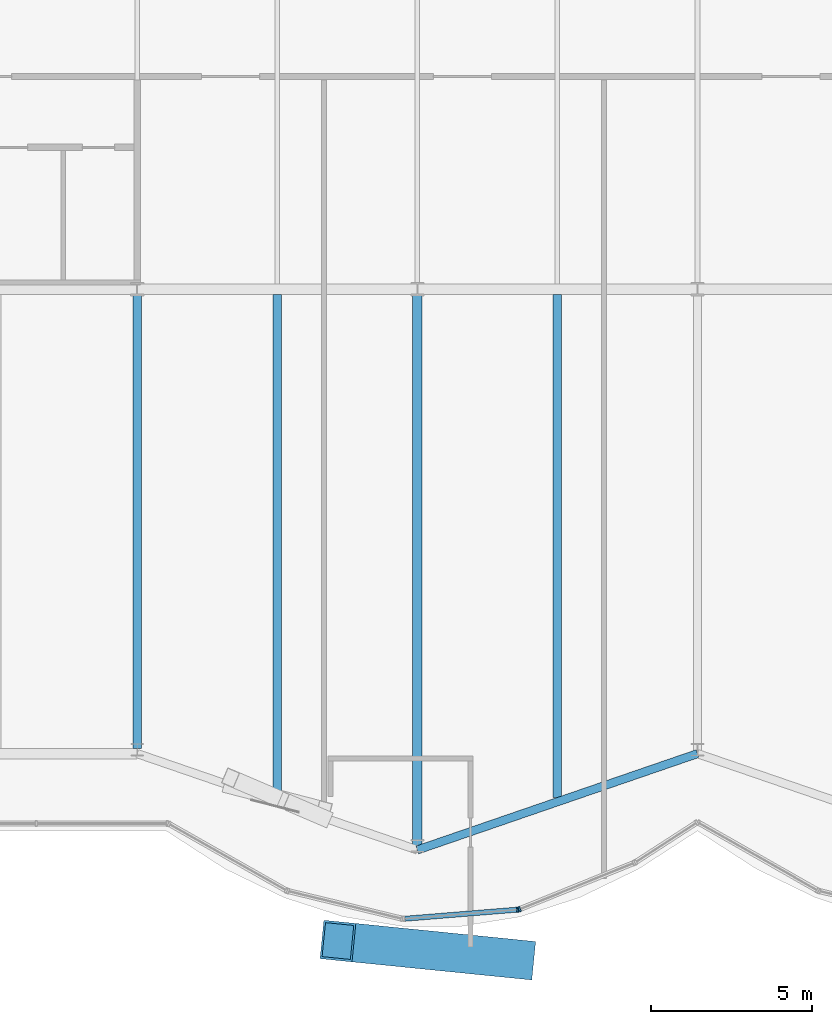
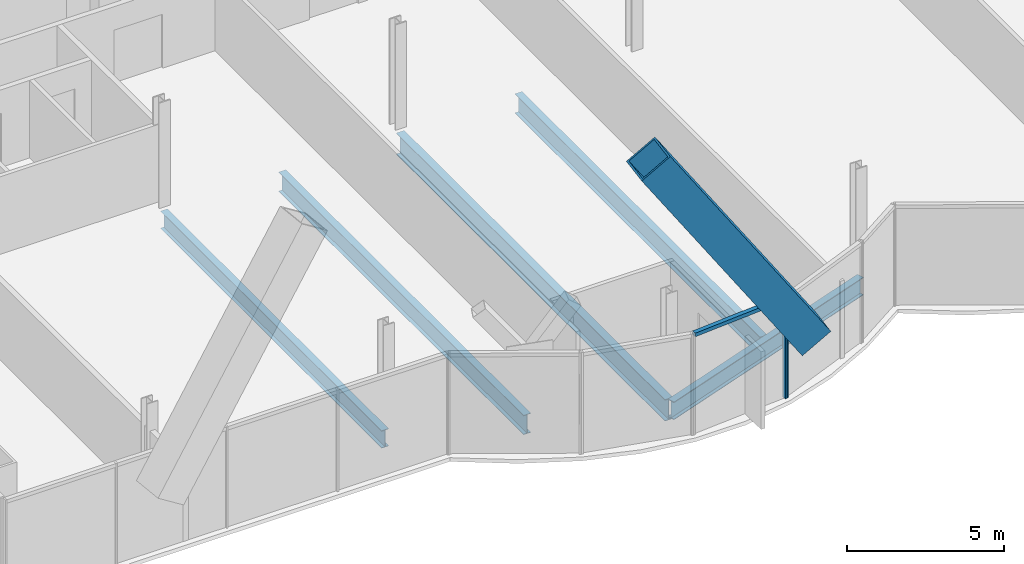
# One storey, part 5 of 22: 5 beams, 4 members, 1 element without a shape of its own.
"""IFC4 building model written with IfcOpenShell, lengths in metres."""

from ifc_helpers import new_model, si_unit, direction, frame, origin, origin_2d, place, context, subcontext, project, spatial, rectangle, hollow_rectangle, i_section, extrude, material, material_profile, profile_set, type_object, element, aggregate, save


model = new_model("IFC4")

# Units and contexts
model_context = context("Model", 3, precision=1e-05, world=origin(), true_north=direction((0.0, 1.0)))
body_context = subcontext(model_context, "Body", "Model", "MODEL_VIEW")
ifc_project = project(units=[si_unit("LENGTHUNIT", "METRE"), si_unit("AREAUNIT", "SQUARE_METRE"), si_unit("VOLUMEUNIT", "CUBIC_METRE"), si_unit("PLANEANGLEUNIT", "RADIAN"), si_unit("MASSUNIT", "GRAM", prefix="KILO")], contexts=[model_context])

# Site, building, storey
site_placement = place(None, origin())
site = spatial("IfcSite", under=ifc_project, at=site_placement, CompositionType="ELEMENT")
building_placement = place(site_placement, origin())
building = spatial("IfcBuilding", under=site, at=building_placement, Name="Bicima Exchange Tower", CompositionType="ELEMENT")
storey_placement = place(building_placement, frame((0.0, 0.0, 94.0)))
storey = spatial("IfcBuildingStorey", under=building, at=storey_placement, Name="L19", CompositionType="ELEMENT", Elevation=94.0)

# Member
ifc_material_1 = material(Name="Steel ASTM A572 Gr 50", Category="steel")
ifc_material_profile_1 = material_profile(ifc_material_1, hollow_rectangle(XDim=1.199951171875, YDim=1.199951171875, WallThickness=0.070068359375, at=origin_2d()))
ifc_profile_set_1 = profile_set([ifc_material_profile_1], Name="Steel ASTM A572 Gr 50")
member_type_1 = type_object("IfcMemberType", Name="Exo mega brace BOX 1200x1200x70", PredefinedType="BRACE", material=ifc_profile_set_1)
member_1_placement = place(storey_placement, frame((-5.583251953125, -42.811279296875, 3.416748046875), z_axis=(-0.551958035604, 0.055606091562, 0.832015798837), x_axis=(-0.10023595765, -0.994963694209, 0.0)))
element("IfcMember", 1, at=member_1_placement, inside=storey, type_object=member_type_1, Name="Exo mega brace front", PredefinedType="BRACE", context=body_context, shape_type="SweptSolid", body=[
    extrude(hollow_rectangle(XDim=1.199951171875, YDim=1.199951171875, WallThickness=0.070068359375, at=origin_2d()), origin(), (0.0, 0.0, 1.0), 10.11572265625),
])

# Beams
ifc_material_2 = material(Name="Steel ASTM A992 Gr 50", Category="steel")
ifc_material_profile_2 = material_profile(ifc_material_2, i_section(OverallWidth=0.25390625, OverallDepth=0.67822265625, WebThickness=0.01171875, FlangeThickness=0.016357421875, at=origin_2d()))
ifc_profile_set_2 = profile_set([ifc_material_profile_2], Name="Steel ASTM A992 Gr 50")
beam_type_1 = type_object("IfcBeamType", Name="Floor beam W27x84", PredefinedType="JOIST", material=ifc_profile_set_2)
beam_1_placement = place(storey_placement, frame((-17.39990234375, -22.16259765625, -0.489013671875), z_axis=(0.0, -1.0, 0.0), x_axis=(1.0, 0.0, 0.0)))
element("IfcBeam", 2, at=beam_1_placement, inside=storey, type_object=beam_type_1, Name="Floor beam", PredefinedType="JOIST", context=body_context, shape_type="SweptSolid", body=[
    extrude(i_section(OverallWidth=0.25390625, OverallDepth=0.67822265625, WebThickness=0.01171875, FlangeThickness=0.016357421875, at=origin_2d()), origin(), (0.0, 0.0, 1.0), 14.102783203125),
])
ifc_material_profile_3 = material_profile(ifc_material_2, i_section(OverallWidth=0.2666015625, OverallDepth=0.75439453125, WebThickness=0.01318359375, FlangeThickness=0.01708984375, at=origin_2d()))
ifc_profile_set_3 = profile_set([ifc_material_profile_3], Name="Steel ASTM A992 Gr 50")
beam_type_2 = type_object("IfcBeamType", Name="Floor beam W30x99", PredefinedType="JOIST", material=ifc_profile_set_3)
for number, where, z_axis, x_axis, name in (
    (3, (-13.050048828125, -22.16259765625, -0.527099609375), (0.0, -1.0, 0.0), (1.0, 0.0, 0.0), "Floor beam"),
    (4, (-4.35009765625, -22.16259765625, -0.527099609375), (0.0, -1.0, 0.0), (1.0, 0.0, 0.0), "Floor beam"),
):
    element("IfcBeam", number, at=place(storey_placement, frame(where, z_axis=z_axis, x_axis=x_axis)), inside=storey, type_object=beam_type_2, Name=name, PredefinedType="JOIST", context=body_context, shape_type="SweptSolid", body=[
        extrude(i_section(OverallWidth=0.2666015625, OverallDepth=0.75439453125, WebThickness=0.01318359375, FlangeThickness=0.01708984375, at=origin_2d()), origin(), (0.0, 0.0, 1.0), 15.625244140625),
    ])
ifc_material_profile_4 = material_profile(ifc_material_2, i_section(OverallWidth=0.2919921875, OverallDepth=0.835693359375, WebThickness=0.013916015625, FlangeThickness=0.018798828125, at=origin_2d()))
ifc_profile_set_4 = profile_set([ifc_material_profile_4], Name="Steel ASTM A992 Gr 50")
beam_type_3 = type_object("IfcBeamType", Name="Floor beam W33x118", PredefinedType="JOIST", material=ifc_profile_set_4)
beam_2_placement = place(storey_placement, frame((-8.699951171875, -22.16259765625, -0.56787109375), z_axis=(0.0, -1.0, 0.0), x_axis=(1.0, 0.0, 0.0)))
element("IfcBeam", 5, at=beam_2_placement, inside=storey, type_object=beam_type_3, Name="Floor beam", PredefinedType="JOIST", context=body_context, shape_type="SweptSolid", body=[
    extrude(i_section(OverallWidth=0.2919921875, OverallDepth=0.835693359375, WebThickness=0.013916015625, FlangeThickness=0.018798828125, at=origin_2d()), origin(), (0.0, 0.0, 1.0), 17.120849609375),
])
ifc_material_profile_5 = material_profile(ifc_material_2, i_section(OverallWidth=0.256591796875, OverallDepth=0.693359375, WebThickness=0.014404296875, FlangeThickness=0.023681640625, at=origin_2d()))
ifc_profile_set_5 = profile_set([ifc_material_profile_5], Name="Steel ASTM A992 Gr 50")
beam_type_4 = type_object("IfcBeamType", Name="Front girder W27x114", PredefinedType="BEAM", material=ifc_profile_set_5)
beam_3_placement = place(storey_placement, frame((-8.699951171875, -39.419189453125, -0.49658203125), z_axis=(0.945666456746, 0.325138359143, 0.0), x_axis=(-0.325138359143, 0.945666456746, 0.0)))
element("IfcBeam", 6, at=beam_3_placement, inside=storey, type_object=beam_type_4, Name="Front girder", PredefinedType="BEAM", context=body_context, shape_type="SweptSolid", body=[
    extrude(i_section(OverallWidth=0.256591796875, OverallDepth=0.693359375, WebThickness=0.014404296875, FlangeThickness=0.023681640625, at=origin_2d()), origin(), (0.0, 0.0, 1.0), 9.19970703125),
])

# Curtain wall, members
ifc_material_3 = material(Name="Anodised bronze aluminium", Category="aluminium")
curtain_wall_type = type_object("IfcCurtainWallType", Name="Front glass wall", PredefinedType="NOTDEFINED", material=ifc_material_3)
curtain_wall_placement = place(storey_placement, origin())
curtain_wall = element("IfcCurtainWall", 7, at=curtain_wall_placement, inside=storey, type_object=curtain_wall_type, Name="Front glass wall L19 run 6", PredefinedType="NOTDEFINED")
ifc_material_profile_6 = material_profile(ifc_material_3, rectangle(XDim=0.159912109375, YDim=0.06005859375, at=origin_2d()))
ifc_profile_set_6 = profile_set([ifc_material_profile_6], Name="Anodised bronze aluminium")
member_type_2 = type_object("IfcMemberType", Name="Front glass wall mullion 60 x 160", PredefinedType="MULLION", material=ifc_profile_set_6)
member_2_placement = place(storey_placement, frame((-5.583984375, -41.272705078125, 0.0), z_axis=(0.0, 0.0, 1.0), x_axis=(-0.080588612633, 0.99674744821, 0.0)))
member_2 = element("IfcMember", 8, at=member_2_placement, type_object=member_type_2, Name="Front glass wall mullion 2", PredefinedType="MULLION", context=body_context, shape_type="SweptSolid", body=[
    extrude(rectangle(XDim=0.159912109375, YDim=0.06005859375, at=origin_2d()), origin(), (0.0, 0.0, 1.0), 3.949951171875),
])
member_3_placement = place(storey_placement, frame((-5.526123046875, -41.25927734375, 0.0), z_axis=(0.0, 0.0, 1.0), x_axis=(-0.374705304, 0.92714396679, 0.0)))
member_3 = element("IfcMember", 9, at=member_3_placement, type_object=member_type_2, Name="Front glass wall mullion 1", PredefinedType="MULLION", context=body_context, shape_type="SweptSolid", body=[
    extrude(rectangle(XDim=0.159912109375, YDim=0.06005859375, at=origin_2d()), origin(), (0.0, 0.0, 1.0), 3.949951171875),
])
ifc_material_profile_7 = material_profile(ifc_material_3, rectangle(XDim=0.159912109375, YDim=0.139892578125, at=origin_2d()))
ifc_profile_set_7 = profile_set([ifc_material_profile_7], Name="Anodised bronze aluminium")
member_type_3 = type_object("IfcMemberType", Name="Front glass wall transom 140 x 160", PredefinedType="USERDEFINED", material=ifc_profile_set_7)
member_4_placement = place(storey_placement, frame((-9.08837890625, -41.55615234375, 3.8798828125), z_axis=(0.9967456465, 0.080610893699, 0.0), x_axis=(-0.080610893699, 0.9967456465, 0.0)))
member_4 = element("IfcMember", 10, at=member_4_placement, type_object=member_type_3, Name="Front glass wall transom 1.1", ObjectType="TRANSOM", PredefinedType="USERDEFINED", context=body_context, shape_type="SweptSolid", body=[
    extrude(rectangle(XDim=0.159912109375, YDim=0.139892578125, at=origin_2d()), origin(), (0.0, 0.0, 1.0), 3.48583984375),
])
aggregate(curtain_wall, [member_2, member_4, member_3])

save(model, "model.ifc")
